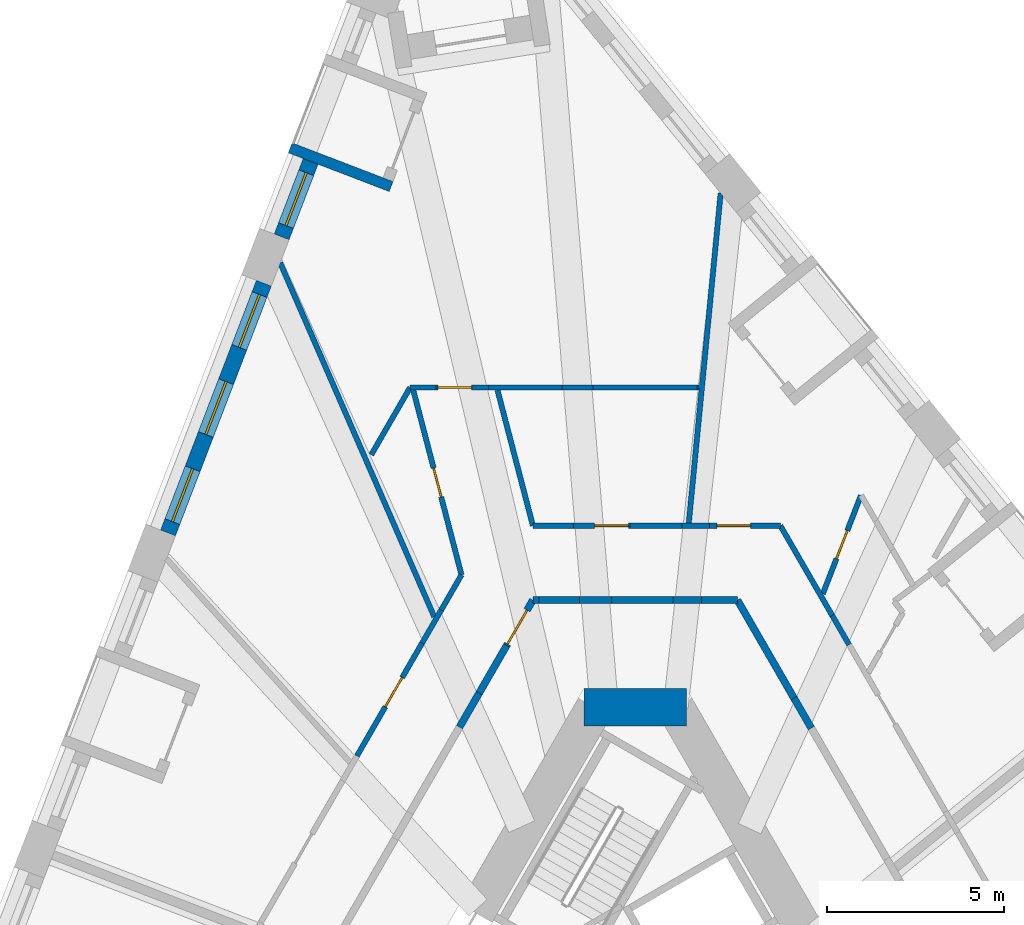
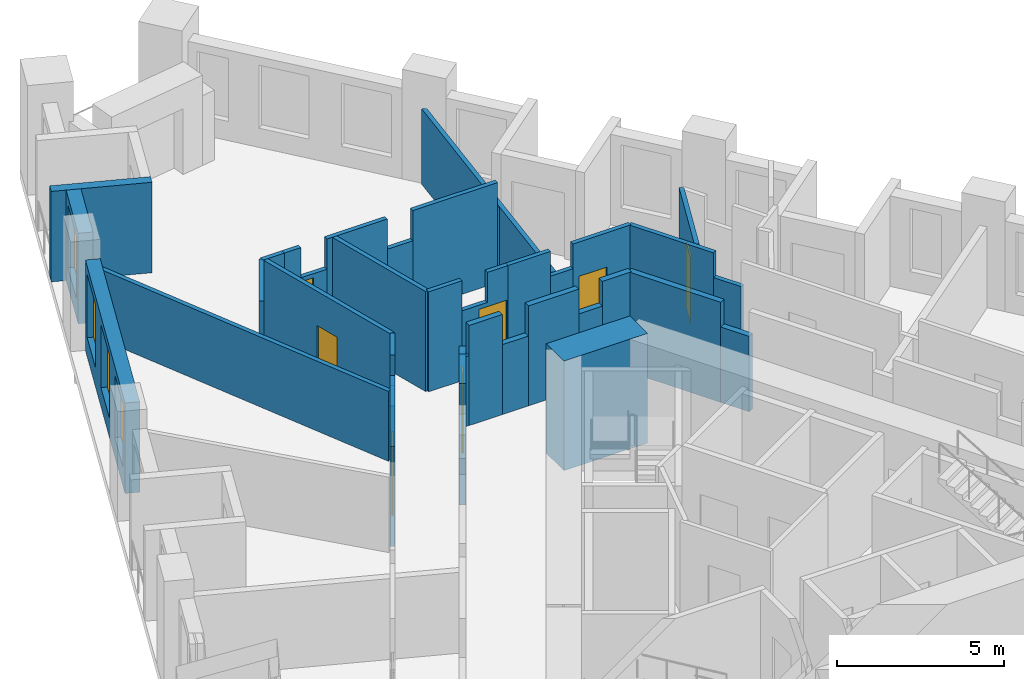
# One storey, part 8 of 14: 37 walls, 7 doors, 4 windows, 11 openings.
"""IFC4 building model written with IfcOpenShell, lengths in metres."""

from ifc_helpers import new_model, si_unit, direction, frame, frame_2d, origin, place, context, subcontext, project, spatial, polyline, rectangle, outline, extrude, material, layer, layer_set, type_object, element, fill, save


model = new_model("IFC4")

# Units and contexts
model_context = context("Model", 3, precision=1e-05, world=origin(), true_north=direction((0.0, 1.0)))
body_context = subcontext(model_context, "Body", "Model", "MODEL_VIEW")
ifc_project = project(units=[si_unit("LENGTHUNIT", "METRE"), si_unit("AREAUNIT", "SQUARE_METRE"), si_unit("VOLUMEUNIT", "CUBIC_METRE"), si_unit("PLANEANGLEUNIT", "RADIAN"), si_unit("MASSUNIT", "GRAM", prefix="KILO")], contexts=[model_context])

# Site, building, storey
site_placement = place(None, origin())
site = spatial("IfcSite", under=ifc_project, at=site_placement, CompositionType="ELEMENT")
building_placement = place(site_placement, origin())
building = spatial("IfcBuilding", under=site, at=building_placement, Name="Tramontana Tower", CompositionType="ELEMENT")
storey_placement = place(building_placement, frame((0.0, 0.0, 59.199951171875)))
storey = spatial("IfcBuildingStorey", under=building, at=storey_placement, Name="L12", CompositionType="ELEMENT", Elevation=59.199951171875)

# Walls
ifc_material_1 = material(Name="Concrete 70 MPa", Category="concrete")
ifc_layer_1 = layer(ifc_material_1, 1.050048828125)
ifc_layer_set_1 = layer_set([ifc_layer_1], Name="Core wall 1050 70 MPa")
wall_type_1 = type_object("IfcWallType", Name="Core wall 1050 70 MPa", PredefinedType="SHEAR", material=ifc_layer_set_1)
wall_1_placement = place(storey_placement, frame((1.443359375, 10.47509765625, 0.0), z_axis=(0.0, 0.0, 1.0), x_axis=(-1.0, 0.0, 0.0)))
element("IfcWall", 1, at=wall_1_placement, inside=storey, type_object=wall_type_1, Name="Core wall C0 L12", PredefinedType="SHEAR", context=body_context, shape_type="SweptSolid", body=[
    extrude(rectangle(XDim=2.88671875, YDim=1.050048828125, at=frame_2d((1.443359375, 0.0))), origin(), (0.0, 0.0, 1.0), 4.0),
])
ifc_material_2 = material(Name="Blockwork", Category="masonry")
ifc_layer_2 = layer(ifc_material_2, 0.199951171875)
ifc_layer_set_2 = layer_set([ifc_layer_2], Name="ENTRY WALL 200")
wall_type_2 = type_object("IfcWallType", Name="ENTRY WALL 200", PredefinedType="SOLIDWALL", material=ifc_layer_set_2)
wall_2_placement = place(storey_placement, frame((2.88671875, 13.5, 0.0), z_axis=(0.0, 0.0, 1.0), x_axis=(0.50003154259, -0.866007191896, 0.0)))
element("IfcWall", 2, at=wall_2_placement, inside=storey, type_object=wall_type_2, Name="Wall v10-ew0-0", PredefinedType="SOLIDWALL", context=body_context, shape_type="SweptSolid", body=[
    extrude(rectangle(XDim=3.190673828125, YDim=0.199951171875, at=frame_2d((1.59521484375, 0.0))), origin(), (0.0, 0.0, 1.0), 3.650146484375),
])
wall_3_placement = place(storey_placement, frame((4.482177734375, 10.73681640625, 0.0), z_axis=(0.0, 0.0, 1.0), x_axis=(0.499966601515, -0.86604468555, 0.0)))
element("IfcWall", 3, at=wall_3_placement, inside=storey, type_object=wall_type_2, Name="Wall v10-ew0-1", PredefinedType="SOLIDWALL", context=body_context, shape_type="SweptSolid", body=[
    extrude(rectangle(XDim=0.98095703125, YDim=0.199951171875, at=frame_2d((0.490478515625, 0.0))), origin(), (0.0, 0.0, 1.0), 2.75),
])
wall_4_placement = place(storey_placement, frame((-4.95751953125, 9.913330078125, 0.0), z_axis=(0.0, 0.0, 1.0), x_axis=(0.499951133605, 0.866053614973, 0.0)))
element("IfcWall", 4, at=wall_4_placement, inside=storey, type_object=wall_type_2, Name="Wall v10-ew4-7", PredefinedType="SOLIDWALL", context=body_context, shape_type="SweptSolid", body=[
    extrude(rectangle(XDim=1.10888671875, YDim=0.199951171875, at=frame_2d((0.554443359375, 0.0))), origin(), (0.0, 0.0, 1.0), 2.550048828125),
])
wall_5_placement = place(storey_placement, frame((-4.403076171875, 10.873779296875, 0.0), z_axis=(0.0, 0.0, 1.0), x_axis=(0.50011257031, 0.86596040153, 0.0)))
element("IfcWall", 5, at=wall_5_placement, inside=storey, type_object=wall_type_2, Name="Wall v10-ew4-8", PredefinedType="SOLIDWALL", context=body_context, shape_type="SweptSolid", body=[
    extrude(rectangle(XDim=1.552978515625, YDim=0.199951171875, at=frame_2d((0.7763671875, 0.0))), origin(), (0.0, 0.0, 1.0), 3.650146484375),
])

# Wall, opening, door
wall_6_placement = place(storey_placement, frame((-3.62646484375, 12.218505859375, 0.0), z_axis=(0.0, 0.0, 1.0), x_axis=(0.499936694431, 0.866061950187, 0.0)))
wall_6 = element("IfcWall", 6, at=wall_6_placement, inside=storey, type_object=wall_type_2, Name="Wall v10-ew4-9", PredefinedType="SOLIDWALL", context=body_context, shape_type="SweptSolid", body=[
    extrude(outline(polyline([(0.0, 0.0), (1.479736328125, 0.0), (1.4794921875, 2.550048828125), (0.4091796875, 2.550048828125), (0.4091796875, 3.650146484375), (0.0, 3.650146484375), (0.0, 0.0)])), frame((0.0, 0.10009765625, 0.0), z_axis=(0.0, -1.0, 0.0), x_axis=(1.0, 0.0, 0.0)), (0.0, 0.0, 1.0), 0.199951171875),
])
opening_1_placement = place(wall_6_placement, frame((0.050048828125, 0.0, 0.0)))
opening_1 = element("IfcOpeningElement", 7, at=opening_1_placement, cuts=wall_6, Name="Opening B1A-28", PredefinedType="OPENING", context=body_context, shape_type="SweptSolid", body=[
    extrude(rectangle(XDim=1.10009765625, YDim=2.39990234375, at=frame_2d((0.550048828125, 1.199951171875))), frame((0.0, 0.10986328125, 0.0), z_axis=(0.0, -1.0, 0.0), x_axis=(1.0, 0.0, 0.0)), (0.0, 0.0, 1.0), 0.219970703125),
])
ifc_material_3 = material(Name="Painted timber", Category="wood")
door_type_1 = type_object("IfcDoorType", Name="DOOR ENTRY 1100", OperationType="SINGLE_SWING_LEFT", PredefinedType="DOOR", material=ifc_material_3)
door_1_placement = place(opening_1_placement, origin())
door_1 = element("IfcDoor", 8, at=door_1_placement, inside=storey, type_object=door_type_1, Name="Door B1A-28", OperationType="SINGLE_SWING_RIGHT", OverallHeight=2.39990234375, OverallWidth=1.10009765625, PredefinedType="DOOR", context=body_context, shape_type="SweptSolid", body=[
    extrude(rectangle(XDim=1.10009765625, YDim=2.39990234375, at=frame_2d((0.550048828125, 1.199951171875))), frame((0.0, 0.02490234375, 0.0), z_axis=(0.0, -1.0, 0.0), x_axis=(1.0, 0.0, 0.0)), (0.0, 0.0, 1.0), 0.050048828125),
])
fill(opening_1, door_1)

# Walls
wall_7_placement = place(storey_placement, frame((-2.88671875, 13.5, 0.0), z_axis=(0.0, 0.0, 1.0), x_axis=(1.0, 0.0, 0.0)))
element("IfcWall", 9, at=wall_7_placement, inside=storey, type_object=wall_type_2, Name="Wall v10-ew5-0", PredefinedType="SOLIDWALL", context=body_context, shape_type="SweptSolid", body=[
    extrude(rectangle(XDim=0.171142578125, YDim=0.199951171875, at=frame_2d((0.08544921875, 0.0))), origin(), (0.0, 0.0, 1.0), 2.550048828125),
])
wall_8_placement = place(storey_placement, frame((-2.715576171875, 13.5, 0.0), z_axis=(0.0, 0.0, 1.0), x_axis=(1.0, 0.0, 0.0)))
element("IfcWall", 10, at=wall_8_placement, inside=storey, type_object=wall_type_2, Name="Wall v10-ew5-1", PredefinedType="SOLIDWALL", context=body_context, shape_type="SweptSolid", body=[
    extrude(rectangle(XDim=1.141357421875, YDim=0.199951171875, at=frame_2d((0.57080078125, 0.0))), origin(), (0.0, 0.0, 1.0), 3.650146484375),
])
wall_9_placement = place(storey_placement, frame((-1.57421875, 13.5, 0.0), z_axis=(0.0, 0.0, 1.0), x_axis=(1.0, 0.0, 0.0)))
element("IfcWall", 11, at=wall_9_placement, inside=storey, type_object=wall_type_2, Name="Wall v10-ew5-2", PredefinedType="SOLIDWALL", context=body_context, shape_type="SweptSolid", body=[
    extrude(rectangle(XDim=0.903076171875, YDim=0.199951171875, at=frame_2d((0.45166015625, 0.0))), origin(), (0.0, 0.0, 1.0), 2.550048828125),
])
wall_10_placement = place(storey_placement, frame((-0.671142578125, 13.5, 0.0), z_axis=(0.0, 0.0, 1.0), x_axis=(1.0, 0.0, 0.0)))
element("IfcWall", 12, at=wall_10_placement, inside=storey, type_object=wall_type_2, Name="Wall v10-ew5-3", PredefinedType="SOLIDWALL", context=body_context, shape_type="SweptSolid", body=[
    extrude(rectangle(XDim=1.745361328125, YDim=0.199951171875, at=frame_2d((0.87255859375, 0.0))), origin(), (0.0, 0.0, 1.0), 3.650146484375),
])
wall_11_placement = place(storey_placement, frame((1.07421875, 13.5, 0.0), z_axis=(0.0, 0.0, 1.0), x_axis=(1.0, 0.0, 0.0)))
element("IfcWall", 13, at=wall_11_placement, inside=storey, type_object=wall_type_2, Name="Wall v10-ew5-4", PredefinedType="SOLIDWALL", context=body_context, shape_type="SweptSolid", body=[
    extrude(rectangle(XDim=0.804931640625, YDim=0.199951171875, at=frame_2d((0.40234375, 0.0))), origin(), (0.0, 0.0, 1.0), 2.75),
])
wall_12_placement = place(storey_placement, frame((1.879150390625, 13.5, 0.0), z_axis=(0.0, 0.0, 1.0), x_axis=(1.0, 0.0, 0.0)))
element("IfcWall", 14, at=wall_12_placement, inside=storey, type_object=wall_type_2, Name="Wall v10-ew5-5", PredefinedType="SOLIDWALL", context=body_context, shape_type="SweptSolid", body=[
    extrude(rectangle(XDim=1.007568359375, YDim=0.199951171875, at=frame_2d((0.50390625, 0.0))), origin(), (0.0, 0.0, 1.0), 3.650146484375),
])

# Wall, opening, window
ifc_material_4 = material(Name="Precast concrete 60 MPa", Category="concrete")
ifc_layer_3 = layer(ifc_material_4, 0.449951171875)
ifc_layer_set_3 = layer_set([ifc_layer_3], Name="Precast concrete 60 MPa, 450 mm")
wall_type_3 = type_object("IfcWallType", Name="EW1 Stone-faced precast wall 450", PredefinedType="SOLIDWALL", material=ifc_layer_set_3)
wall_13_placement = place(storey_placement, frame((-9.157958984375, 25.8818359375, 0.0), z_axis=(0.0, 0.0, 1.0), x_axis=(-0.358355550725, -0.933585185864, 0.0)))
wall_13 = element("IfcWall", 15, at=wall_13_placement, inside=storey, type_object=wall_type_3, Name="External wall L12 face 0 bay 1", PredefinedType="SOLIDWALL", context=body_context, shape_type="SweptSolid", body=[
    extrude(rectangle(XDim=2.282958984375, YDim=0.449951171875, at=frame_2d((1.1416015625, 0.0))), origin(), (0.0, 0.0, 1.0), 3.300048828125),
])
opening_2_placement = place(wall_13_placement, frame((0.341552734375, 0.0, 0.699951171875)))
opening_2 = element("IfcOpeningElement", 16, at=opening_2_placement, cuts=wall_13, Name="Opening M1", PredefinedType="OPENING", context=body_context, shape_type="SweptSolid", body=[
    extrude(rectangle(XDim=1.60009765625, YDim=2.300048828125, at=frame_2d((0.800048828125, 1.14990234375))), frame((0.0, 0.23486328125, 0.0), z_axis=(0.0, -1.0, 0.0), x_axis=(1.0, 0.0, 0.0)), (0.0, 0.0, 1.0), 0.469970703125),
])
ifc_material_5 = material(Name="Aluminum frame, double glazing unit", Category="aluminium")
window_type = type_object("IfcWindowType", Name="M1 Window 1.6 x 2.3", PartitioningType="SINGLE_PANEL", PredefinedType="WINDOW", material=ifc_material_5)
window_1_placement = place(opening_2_placement, origin())
window_1 = element("IfcWindow", 17, at=window_1_placement, inside=storey, type_object=window_type, Name="Window M1 L12 face 0 module 3", OverallHeight=2.300048828125, OverallWidth=1.60009765625, PartitioningType="SINGLE_PANEL", PredefinedType="WINDOW", context=body_context, shape_type="SweptSolid", body=[
    extrude(rectangle(XDim=1.60009765625, YDim=2.300048828125, at=frame_2d((0.800048828125, 1.14990234375))), frame((0.0, 0.030029296875, 0.0), z_axis=(0.0, -1.0, 0.0), x_axis=(1.0, 0.0, 0.0)), (0.0, 0.0, 1.0), 0.06005859375),
])
fill(opening_2, window_1)

# Wall, openings, windows
wall_14_placement = place(storey_placement, frame((-10.47802734375, 22.443603515625, 0.0), z_axis=(0.0, 0.0, 1.0), x_axis=(-0.358339674384, -0.933591279823, 0.0)))
wall_14 = element("IfcWall", 18, at=wall_14_placement, inside=storey, type_object=wall_type_3, Name="External wall L12 face 0 bay 2", PredefinedType="SOLIDWALL", context=body_context, shape_type="SweptSolid", body=[
    extrude(rectangle(XDim=7.548828125, YDim=0.449951171875, at=frame_2d((3.7744140625, 0.0))), origin(), (0.0, 0.0, 1.0), 3.300048828125),
])
opening_3_placement = place(wall_14_placement, frame((0.341552734375, 0.0, 0.699951171875)))
opening_3 = element("IfcOpeningElement", 19, at=opening_3_placement, cuts=wall_14, Name="Opening M1", PredefinedType="OPENING", context=body_context, shape_type="SweptSolid", body=[
    extrude(rectangle(XDim=1.60009765625, YDim=2.300048828125, at=frame_2d((0.800048828125, 1.14990234375))), frame((0.0, 0.23486328125, 0.0), z_axis=(0.0, -1.0, 0.0), x_axis=(1.0, 0.0, 0.0)), (0.0, 0.0, 1.0), 0.469970703125),
])
opening_4_placement = place(wall_14_placement, frame((2.974365234375, 0.0, 0.699951171875)))
opening_4 = element("IfcOpeningElement", 20, at=opening_4_placement, cuts=wall_14, Name="Opening M1", PredefinedType="OPENING", context=body_context, shape_type="SweptSolid", body=[
    extrude(rectangle(XDim=1.60009765625, YDim=2.300048828125, at=frame_2d((0.800048828125, 1.14990234375))), frame((0.0, 0.23486328125, 0.0), z_axis=(0.0, -1.0, 0.0), x_axis=(1.0, 0.0, 0.0)), (0.0, 0.0, 1.0), 0.469970703125),
])
opening_5_placement = place(wall_14_placement, frame((5.607421875, 0.0, 0.699951171875)))
opening_5 = element("IfcOpeningElement", 21, at=opening_5_placement, cuts=wall_14, Name="Opening M1", PredefinedType="OPENING", context=body_context, shape_type="SweptSolid", body=[
    extrude(rectangle(XDim=1.60009765625, YDim=2.300048828125, at=frame_2d((0.800048828125, 1.14990234375))), frame((0.0, 0.23486328125, 0.0), z_axis=(0.0, -1.0, 0.0), x_axis=(1.0, 0.0, 0.0)), (0.0, 0.0, 1.0), 0.469970703125),
])
window_2_placement = place(opening_3_placement, origin())
window_2 = element("IfcWindow", 22, at=window_2_placement, inside=storey, type_object=window_type, Name="Window M1 L12 face 0 module 4", OverallHeight=2.300048828125, OverallWidth=1.60009765625, PartitioningType="SINGLE_PANEL", PredefinedType="WINDOW", context=body_context, shape_type="SweptSolid", body=[
    extrude(rectangle(XDim=1.60009765625, YDim=2.300048828125, at=frame_2d((0.800048828125, 1.14990234375))), frame((0.0, 0.030029296875, 0.0), z_axis=(0.0, -1.0, 0.0), x_axis=(1.0, 0.0, 0.0)), (0.0, 0.0, 1.0), 0.06005859375),
])
fill(opening_3, window_2)
window_3_placement = place(opening_4_placement, origin())
window_3 = element("IfcWindow", 23, at=window_3_placement, inside=storey, type_object=window_type, Name="Window M1 L12 face 0 module 5", OverallHeight=2.300048828125, OverallWidth=1.60009765625, PartitioningType="SINGLE_PANEL", PredefinedType="WINDOW", context=body_context, shape_type="SweptSolid", body=[
    extrude(rectangle(XDim=1.60009765625, YDim=2.300048828125, at=frame_2d((0.800048828125, 1.14990234375))), frame((0.0, 0.030029296875, 0.0), z_axis=(0.0, -1.0, 0.0), x_axis=(1.0, 0.0, 0.0)), (0.0, 0.0, 1.0), 0.06005859375),
])
fill(opening_4, window_3)
window_4_placement = place(opening_5_placement, origin())
window_4 = element("IfcWindow", 24, at=window_4_placement, inside=storey, type_object=window_type, Name="Window M1 L12 face 0 module 6", OverallHeight=2.300048828125, OverallWidth=1.60009765625, PartitioningType="SINGLE_PANEL", PredefinedType="WINDOW", context=body_context, shape_type="SweptSolid", body=[
    extrude(rectangle(XDim=1.60009765625, YDim=2.300048828125, at=frame_2d((0.800048828125, 1.14990234375))), frame((0.0, 0.030029296875, 0.0), z_axis=(0.0, -1.0, 0.0), x_axis=(1.0, 0.0, 0.0)), (0.0, 0.0, 1.0), 0.06005859375),
])
fill(opening_5, window_4)

# Walls
ifc_material_6 = material(Name="Precast concrete 60 MPa", Category="concrete")
ifc_layer_4 = layer(ifc_material_6, 0.300048828125)
ifc_layer_set_4 = layer_set([ifc_layer_4], Name="LW1 Stone-faced loggia wall 300")
wall_type_4 = type_object("IfcWallType", Name="LW1 Stone-faced loggia wall 300", PredefinedType="SOLIDWALL", material=ifc_layer_set_4)
wall_15_placement = place(storey_placement, frame((-9.734375, 26.263671875, 0.0), z_axis=(0.0, 0.0, 1.0), x_axis=(0.933580593625, -0.358367514161, 0.0)))
element("IfcWall", 25, at=wall_15_placement, inside=storey, type_object=wall_type_4, Name="Loggia return L12 G1S0.1b", PredefinedType="SOLIDWALL", context=body_context, shape_type="SweptSolid", body=[
    extrude(rectangle(XDim=3.050048828125, YDim=0.300048828125, at=frame_2d((1.52490234375, 0.0))), origin(), (0.0, 0.0, 1.0), 3.300048828125),
])
ifc_material_7 = material(Name="Gypsum board partition")
ifc_layer_5 = layer(ifc_material_7, 0.14990234375)
ifc_layer_set_5 = layer_set([ifc_layer_5], Name="PARTITION 150")
wall_type_5 = type_object("IfcWallType", Name="PARTITION 150", PredefinedType="PARTITIONING", material=ifc_layer_set_5)
wall_16_placement = place(storey_placement, frame((-7.446533203125, 17.60205078125, 0.0), z_axis=(0.0, 0.0, 1.0), x_axis=(0.499973180286, 0.8660408876, 0.0)))
element("IfcWall", 26, at=wall_16_placement, inside=storey, type_object=wall_type_5, Name="Wall v10-pw13-1", PredefinedType="PARTITIONING", context=body_context, shape_type="SweptSolid", body=[
    extrude(rectangle(XDim=2.19140625, YDim=0.14990234375, at=frame_2d((1.095703125, 0.0))), origin(), (0.0, 0.0, 1.0), 3.650146484375),
])
wall_17_placement = place(storey_placement, frame((-6.350830078125, 19.5, 0.0), z_axis=(0.0, 0.0, 1.0), x_axis=(1.0, 0.0, 0.0)))
element("IfcWall", 27, at=wall_17_placement, inside=storey, type_object=wall_type_5, Name="Wall v10-pw14-0", PredefinedType="PARTITIONING", context=body_context, shape_type="SweptSolid", body=[
    extrude(rectangle(XDim=0.73388671875, YDim=0.14990234375, at=frame_2d((0.366943359375, 0.0))), origin(), (0.0, 0.0, 1.0), 3.650146484375),
])

# Wall, opening, door
wall_18_placement = place(storey_placement, frame((-5.616943359375, 19.5, 0.0), z_axis=(0.0, 0.0, 1.0), x_axis=(1.0, 0.0, 0.0)))
wall_18 = element("IfcWall", 28, at=wall_18_placement, inside=storey, type_object=wall_type_5, Name="Wall v10-pw14-1", PredefinedType="PARTITIONING", context=body_context, shape_type="SweptSolid", body=[
    extrude(outline(polyline([(0.0, 0.0), (1.476318359375, 0.0), (1.476318359375, 2.550048828125), (0.577392578125, 2.550048828125), (0.577392578125, 3.650146484375), (0.0, 3.650146484375), (0.0, 0.0)])), frame((0.0, 0.074951171875, 0.0), z_axis=(0.0, -1.0, 0.0), x_axis=(1.0, 0.0, 0.0)), (0.0, 0.0, 1.0), 0.14990234375),
])
opening_6_placement = place(wall_18_placement, frame((0.050048828125, 0.0, 0.0)))
opening_6 = element("IfcOpeningElement", 29, at=opening_6_placement, cuts=wall_18, Name="Opening B1A-03", PredefinedType="OPENING", context=body_context, shape_type="SweptSolid", body=[
    extrude(rectangle(XDim=0.949951171875, YDim=2.39990234375, at=frame_2d((0.47509765625, 1.199951171875))), frame((0.0, 0.0849609375, 0.0), z_axis=(0.0, -1.0, 0.0), x_axis=(1.0, 0.0, 0.0)), (0.0, 0.0, 1.0), 0.169921875),
])
ifc_material_8 = material(Name="Painted timber", Category="wood")
door_type_2 = type_object("IfcDoorType", Name="DOOR ROOM 950", OperationType="SINGLE_SWING_LEFT", PredefinedType="DOOR", material=ifc_material_8)
door_2_placement = place(opening_6_placement, origin())
door_2 = element("IfcDoor", 30, at=door_2_placement, inside=storey, type_object=door_type_2, Name="Door B1A-03", OperationType="SINGLE_SWING_LEFT", OverallHeight=2.39990234375, OverallWidth=0.949951171875, PredefinedType="DOOR", context=body_context, shape_type="SweptSolid", body=[
    extrude(rectangle(XDim=0.949951171875, YDim=2.39990234375, at=frame_2d((0.47509765625, 1.199951171875))), frame((0.0, 0.02490234375, 0.0), z_axis=(0.0, -1.0, 0.0), x_axis=(1.0, 0.0, 0.0)), (0.0, 0.0, 1.0), 0.050048828125),
])
fill(opening_6, door_2)

# Walls
wall_19_placement = place(storey_placement, frame((-4.140625, 19.5, 0.0), z_axis=(0.0, 0.0, 1.0), x_axis=(1.0, 0.0, 0.0)))
element("IfcWall", 31, at=wall_19_placement, inside=storey, type_object=wall_type_5, Name="Wall v10-pw14-2", PredefinedType="PARTITIONING", context=body_context, shape_type="SweptSolid", body=[
    extrude(rectangle(XDim=2.079833984375, YDim=0.14990234375, at=frame_2d((1.0400390625, 0.0))), origin(), (0.0, 0.0, 1.0), 3.650146484375),
])
wall_20_placement = place(storey_placement, frame((-2.060791015625, 19.5, 0.0), z_axis=(0.0, 0.0, 1.0), x_axis=(1.0, 0.0, 0.0)))
element("IfcWall", 32, at=wall_20_placement, inside=storey, type_object=wall_type_5, Name="Wall v10-pw14-3", PredefinedType="PARTITIONING", context=body_context, shape_type="SweptSolid", body=[
    extrude(rectangle(XDim=0.878173828125, YDim=0.14990234375, at=frame_2d((0.43896484375, 0.0))), origin(), (0.0, 0.0, 1.0), 2.550048828125),
])
wall_21_placement = place(storey_placement, frame((-1.1826171875, 19.5, 0.0), z_axis=(0.0, 0.0, 1.0), x_axis=(1.0, 0.0, 0.0)))
element("IfcWall", 33, at=wall_21_placement, inside=storey, type_object=wall_type_5, Name="Wall v10-pw14-4", PredefinedType="PARTITIONING", context=body_context, shape_type="SweptSolid", body=[
    extrude(rectangle(XDim=2.92578125, YDim=0.14990234375, at=frame_2d((1.462890625, 0.0))), origin(), (0.0, 0.0, 1.0), 3.650146484375),
])
wall_22_placement = place(storey_placement, frame((1.7431640625, 19.5, 0.0), z_axis=(0.0, 0.0, 1.0), x_axis=(1.0, 0.0, 0.0)))
element("IfcWall", 34, at=wall_22_placement, inside=storey, type_object=wall_type_5, Name="Wall v10-pw14-5", PredefinedType="PARTITIONING", context=body_context, shape_type="SweptSolid", body=[
    extrude(rectangle(XDim=0.065673828125, YDim=0.14990234375, at=frame_2d((0.03271484375, 0.0))), origin(), (0.0, 0.0, 1.0), 2.75),
])
wall_23_placement = place(storey_placement, frame((-5.670166015625, 13.02880859375, 0.0), z_axis=(0.0, 0.0, 1.0), x_axis=(-0.399074402335, 0.916918546764, 0.0)))
element("IfcWall", 35, at=wall_23_placement, inside=storey, type_object=wall_type_5, Name="Wall v10-pw15-0", PredefinedType="PARTITIONING", context=body_context, shape_type="SweptSolid", body=[
    extrude(rectangle(XDim=10.892578125, YDim=0.14990234375, at=frame_2d((5.4462890625, 0.0))), origin(), (0.0, 0.0, 1.0), 2.550048828125),
])
wall_24_placement = place(storey_placement, frame((-4.900146484375, 14.212646484375, 0.0), z_axis=(0.0, 0.0, 1.0), x_axis=(-0.500078876233, -0.86597985978, 0.0)))
element("IfcWall", 36, at=wall_24_placement, inside=storey, type_object=wall_type_5, Name="Wall v10-pw16-0", PredefinedType="PARTITIONING", context=body_context, shape_type="SweptSolid", body=[
    extrude(rectangle(XDim=1.146240234375, YDim=0.14990234375, at=frame_2d((0.5732421875, 0.0))), origin(), (0.0, 0.0, 1.0), 3.650146484375),
])
wall_25_placement = place(storey_placement, frame((-5.473388671875, 13.219970703125, 0.0), z_axis=(0.0, 0.0, 1.0), x_axis=(-0.499938053331, -0.866061165757, 0.0)))
element("IfcWall", 37, at=wall_25_placement, inside=storey, type_object=wall_type_5, Name="Wall v10-pw16-1", PredefinedType="PARTITIONING", context=body_context, shape_type="SweptSolid", body=[
    extrude(rectangle(XDim=1.078369140625, YDim=0.14990234375, at=frame_2d((0.5390625, 0.0))), origin(), (0.0, 0.0, 1.0), 2.550048828125),
])

# Wall, opening, door
wall_26_placement = place(storey_placement, frame((-7.85107421875, 9.1015625, 0.0), z_axis=(0.0, 0.0, 1.0), x_axis=(0.500002145574, 0.866024165033, 0.0)))
wall_26 = element("IfcWall", 38, at=wall_26_placement, inside=storey, type_object=wall_type_5, Name="Wall v10-pw16-2", PredefinedType="PARTITIONING", context=body_context, shape_type="SweptSolid", body=[
    extrude(rectangle(XDim=3.67724609375, YDim=0.14990234375, at=frame_2d((1.838623046875, 0.0))), origin(), (0.0, 0.0, 1.0), 3.650146484375),
])
opening_7_placement = place(wall_26_placement, frame((1.603515625, 0.0, 0.0)))
opening_7 = element("IfcOpeningElement", 39, at=opening_7_placement, cuts=wall_26, Name="Opening B1A-06", PredefinedType="OPENING", context=body_context, shape_type="SweptSolid", body=[
    extrude(rectangle(XDim=0.949951171875, YDim=2.39990234375, at=frame_2d((0.47509765625, 1.199951171875))), frame((0.0, 0.0849609375, 0.0), z_axis=(0.0, -1.0, 0.0), x_axis=(1.0, 0.0, 0.0)), (0.0, 0.0, 1.0), 0.169921875),
])
door_3_placement = place(opening_7_placement, origin())
door_3 = element("IfcDoor", 40, at=door_3_placement, inside=storey, type_object=door_type_2, Name="Door B1A-06", OperationType="SINGLE_SWING_RIGHT", OverallHeight=2.39990234375, OverallWidth=0.949951171875, PredefinedType="DOOR", context=body_context, shape_type="SweptSolid", body=[
    extrude(rectangle(XDim=0.949951171875, YDim=2.39990234375, at=frame_2d((0.47509765625, 1.199951171875))), frame((0.0, 0.02490234375, 0.0), z_axis=(0.0, -1.0, 0.0), x_axis=(1.0, 0.0, 0.0)), (0.0, 0.0, 1.0), 0.050048828125),
])
fill(opening_7, door_3)

wall_27_placement = place(storey_placement, frame((-4.900146484375, 14.212646484375, 0.0), z_axis=(0.0, 0.0, 1.0), x_axis=(-0.25265249466, 0.967557087175, 0.0)))
wall_27 = element("IfcWall", 41, at=wall_27_placement, inside=storey, type_object=wall_type_5, Name="Wall v10-pw17", PredefinedType="PARTITIONING", context=body_context, shape_type="SweptSolid", body=[
    extrude(rectangle(XDim=5.38720703125, YDim=0.14990234375, at=frame_2d((2.693603515625, 0.0))), origin(), (0.0, 0.0, 1.0), 3.650146484375),
])
opening_8_placement = place(wall_27_placement, frame((2.2685546875, 0.0, 0.0)))
opening_8 = element("IfcOpeningElement", 42, at=opening_8_placement, cuts=wall_27, Name="Opening B1A-02", PredefinedType="OPENING", context=body_context, shape_type="SweptSolid", body=[
    extrude(rectangle(XDim=0.85009765625, YDim=2.39990234375, at=frame_2d((0.425048828125, 1.199951171875))), frame((0.0, 0.0849609375, 0.0), z_axis=(0.0, -1.0, 0.0), x_axis=(1.0, 0.0, 0.0)), (0.0, 0.0, 1.0), 0.169921875),
])
ifc_material_9 = material(Name="Painted timber", Category="wood")
door_type_3 = type_object("IfcDoorType", Name="DOOR BATH 850", OperationType="SINGLE_SWING_LEFT", PredefinedType="DOOR", material=ifc_material_9)
door_4_placement = place(opening_8_placement, origin())
door_4 = element("IfcDoor", 43, at=door_4_placement, inside=storey, type_object=door_type_3, Name="Door B1A-02", OperationType="SINGLE_SWING_RIGHT", OverallHeight=2.39990234375, OverallWidth=0.85009765625, PredefinedType="DOOR", context=body_context, shape_type="SweptSolid", body=[
    extrude(rectangle(XDim=0.85009765625, YDim=2.39990234375, at=frame_2d((0.425048828125, 1.199951171875))), frame((0.0, 0.02490234375, 0.0), z_axis=(0.0, -1.0, 0.0), x_axis=(1.0, 0.0, 0.0)), (0.0, 0.0, 1.0), 0.050048828125),
])
fill(opening_8, door_4)

# Walls
wall_28_placement = place(storey_placement, frame((-3.88427734375, 19.425048828125, 0.0), z_axis=(0.0, 0.0, 1.0), x_axis=(0.252708480958, -0.967542466072, 0.0)))
element("IfcWall", 44, at=wall_28_placement, inside=storey, type_object=wall_type_5, Name="Wall v10-pw18", PredefinedType="PARTITIONING", context=body_context, shape_type="SweptSolid", body=[
    extrude(rectangle(XDim=3.953369140625, YDim=0.14990234375, at=frame_2d((1.9765625, 0.0))), origin(), (0.0, 0.0, 1.0), 3.650146484375),
])
wall_29_placement = place(storey_placement, frame((-2.88525390625, 15.60009765625, 0.0), z_axis=(0.0, 0.0, 1.0), x_axis=(1.0, 0.0, 0.0)))
element("IfcWall", 45, at=wall_29_placement, inside=storey, type_object=wall_type_5, Name="Wall v10-pw20-0", PredefinedType="PARTITIONING", context=body_context, shape_type="SweptSolid", body=[
    extrude(rectangle(XDim=1.14892578125, YDim=0.14990234375, at=frame_2d((0.574462890625, 0.0))), origin(), (0.0, 0.0, 1.0), 3.650146484375),
])

# Wall, opening, door
wall_30_placement = place(storey_placement, frame((-1.736328125, 15.60009765625, 0.0), z_axis=(0.0, 0.0, 1.0), x_axis=(1.0, 0.0, 0.0)))
wall_30 = element("IfcWall", 46, at=wall_30_placement, inside=storey, type_object=wall_type_5, Name="Wall v10-pw20-1", PredefinedType="PARTITIONING", context=body_context, shape_type="SweptSolid", body=[
    extrude(outline(polyline([(0.0, 0.0), (1.59375, 0.0), (1.593994140625, 3.650146484375), (0.8779296875, 3.650146484375), (0.8779296875, 2.550048828125), (0.0, 2.550048828125), (0.0, 0.0)])), frame((0.0, 0.074951171875, 0.0), z_axis=(0.0, -1.0, 0.0), x_axis=(1.0, 0.0, 0.0)), (0.0, 0.0, 1.0), 0.14990234375),
])
opening_9_placement = place(wall_30_placement, frame((0.593994140625, 0.0, 0.0)))
opening_9 = element("IfcOpeningElement", 47, at=opening_9_placement, cuts=wall_30, Name="Opening B1A-01", PredefinedType="OPENING", context=body_context, shape_type="SweptSolid", body=[
    extrude(rectangle(XDim=0.949951171875, YDim=2.39990234375, at=frame_2d((0.47509765625, 1.199951171875))), frame((0.0, 0.0849609375, 0.0), z_axis=(0.0, -1.0, 0.0), x_axis=(1.0, 0.0, 0.0)), (0.0, 0.0, 1.0), 0.169921875),
])
door_5_placement = place(opening_9_placement, origin())
door_5 = element("IfcDoor", 48, at=door_5_placement, inside=storey, type_object=door_type_2, Name="Door B1A-01", OperationType="SINGLE_SWING_LEFT", OverallHeight=2.39990234375, OverallWidth=0.949951171875, PredefinedType="DOOR", context=body_context, shape_type="SweptSolid", body=[
    extrude(rectangle(XDim=0.949951171875, YDim=2.39990234375, at=frame_2d((0.47509765625, 1.199951171875))), frame((0.0, 0.02490234375, 0.0), z_axis=(0.0, -1.0, 0.0), x_axis=(1.0, 0.0, 0.0)), (0.0, 0.0, 1.0), 0.050048828125),
])
fill(opening_9, door_5)

# Walls
wall_31_placement = place(storey_placement, frame((-0.142578125, 15.60009765625, 0.0), z_axis=(0.0, 0.0, 1.0), x_axis=(1.0, 0.0, 0.0)))
element("IfcWall", 49, at=wall_31_placement, inside=storey, type_object=wall_type_5, Name="Wall v10-pw20-2", PredefinedType="PARTITIONING", context=body_context, shape_type="SweptSolid", body=[
    extrude(rectangle(XDim=1.459228515625, YDim=0.14990234375, at=frame_2d((0.7294921875, 0.0))), origin(), (0.0, 0.0, 1.0), 3.650146484375),
])
wall_32_placement = place(storey_placement, frame((1.316650390625, 15.60009765625, 0.0), z_axis=(0.0, 0.0, 1.0), x_axis=(1.0, 0.0, 0.0)))
element("IfcWall", 50, at=wall_32_placement, inside=storey, type_object=wall_type_5, Name="Wall v10-pw20-3", PredefinedType="PARTITIONING", context=body_context, shape_type="SweptSolid", body=[
    extrude(rectangle(XDim=0.779541015625, YDim=0.14990234375, at=frame_2d((0.3896484375, 0.0))), origin(), (0.0, 0.0, 1.0), 2.75),
])

# Wall, opening, door
wall_33_placement = place(storey_placement, frame((2.09619140625, 15.60009765625, 0.0), z_axis=(0.0, 0.0, 1.0), x_axis=(1.0, 0.0, 0.0)))
wall_33 = element("IfcWall", 51, at=wall_33_placement, inside=storey, type_object=wall_type_5, Name="Wall v10-pw20-4", PredefinedType="PARTITIONING", context=body_context, shape_type="SweptSolid", body=[
    extrude(rectangle(XDim=2.0029296875, YDim=0.14990234375, at=frame_2d((1.00146484375, 0.0))), origin(), (0.0, 0.0, 1.0), 3.650146484375),
])
opening_10_placement = place(wall_33_placement, frame((0.210693359375, 0.0, 0.0)))
opening_10 = element("IfcOpeningElement", 52, at=opening_10_placement, cuts=wall_33, Name="Opening B1A-04", PredefinedType="OPENING", context=body_context, shape_type="SweptSolid", body=[
    extrude(rectangle(XDim=0.949951171875, YDim=2.39990234375, at=frame_2d((0.47509765625, 1.199951171875))), frame((0.0, 0.0849609375, 0.0), z_axis=(0.0, -1.0, 0.0), x_axis=(1.0, 0.0, 0.0)), (0.0, 0.0, 1.0), 0.169921875),
])
door_6_placement = place(opening_10_placement, origin())
door_6 = element("IfcDoor", 53, at=door_6_placement, inside=storey, type_object=door_type_2, Name="Door B1A-04", OperationType="SINGLE_SWING_RIGHT", OverallHeight=2.39990234375, OverallWidth=0.949951171875, PredefinedType="DOOR", context=body_context, shape_type="SweptSolid", body=[
    extrude(rectangle(XDim=0.949951171875, YDim=2.39990234375, at=frame_2d((0.47509765625, 1.199951171875))), frame((0.0, 0.02490234375, 0.0), z_axis=(0.0, -1.0, 0.0), x_axis=(1.0, 0.0, 0.0)), (0.0, 0.0, 1.0), 0.050048828125),
])
fill(opening_10, door_6)

# Walls
wall_34_placement = place(storey_placement, frame((2.414306640625, 24.9853515625, 0.0), z_axis=(0.0, 0.0, 1.0), x_axis=(-0.096182387121, -0.995363726689, 0.0)))
element("IfcWall", 54, at=wall_34_placement, inside=storey, type_object=wall_type_5, Name="Wall v10-pw22-0", PredefinedType="PARTITIONING", context=body_context, shape_type="SweptSolid", body=[
    extrude(rectangle(XDim=9.353759765625, YDim=0.14990234375, at=frame_2d((4.6767578125, 0.0))), origin(), (0.0, 0.0, 1.0), 2.75),
])
wall_35_placement = place(storey_placement, frame((4.09912109375, 15.60009765625, 0.0), z_axis=(0.0, 0.0, 1.0), x_axis=(0.500013600279, -0.866017551517, 0.0)))
element("IfcWall", 55, at=wall_35_placement, inside=storey, type_object=wall_type_5, Name="Wall v10-pw23-0", PredefinedType="PARTITIONING", context=body_context, shape_type="SweptSolid", body=[
    extrude(rectangle(XDim=2.927734375, YDim=0.14990234375, at=frame_2d((1.4638671875, 0.0))), origin(), (0.0, 0.0, 1.0), 3.650146484375),
])
wall_36_placement = place(storey_placement, frame((5.56298828125, 13.064697265625, 0.0), z_axis=(0.0, 0.0, 1.0), x_axis=(0.500033686847, -0.8660059538, 0.0)))
element("IfcWall", 56, at=wall_36_placement, inside=storey, type_object=wall_type_5, Name="Wall v10-pw23-1", PredefinedType="PARTITIONING", context=body_context, shape_type="SweptSolid", body=[
    extrude(rectangle(XDim=0.95068359375, YDim=0.14990234375, at=frame_2d((0.475341796875, 0.0))), origin(), (0.0, 0.0, 1.0), 2.75),
])

# Wall, opening, door
wall_37_placement = place(storey_placement, frame((6.373046875, 16.454833984375, 0.0), z_axis=(0.0, 0.0, 1.0), x_axis=(-0.361113609809, -0.932521828597, 0.0)))
wall_37 = element("IfcWall", 57, at=wall_37_placement, inside=storey, type_object=wall_type_5, Name="Wall v10-pw24", PredefinedType="PARTITIONING", context=body_context, shape_type="SweptSolid", body=[
    extrude(rectangle(XDim=2.980224609375, YDim=0.14990234375, at=frame_2d((1.490234375, 0.0))), origin(), (0.0, 0.0, 1.0), 3.650146484375),
])
opening_11_placement = place(wall_37_placement, frame((1.065185546875, 0.0, 0.0)))
opening_11 = element("IfcOpeningElement", 58, at=opening_11_placement, cuts=wall_37, Name="Opening B1A-08", PredefinedType="OPENING", context=body_context, shape_type="SweptSolid", body=[
    extrude(rectangle(XDim=0.85009765625, YDim=2.39990234375, at=frame_2d((0.425048828125, 1.199951171875))), frame((0.0, 0.0849609375, 0.0), z_axis=(0.0, -1.0, 0.0), x_axis=(1.0, 0.0, 0.0)), (0.0, 0.0, 1.0), 0.169921875),
])
door_7_placement = place(opening_11_placement, origin())
door_7 = element("IfcDoor", 59, at=door_7_placement, inside=storey, type_object=door_type_3, Name="Door B1A-08", OperationType="SINGLE_SWING_RIGHT", OverallHeight=2.39990234375, OverallWidth=0.85009765625, PredefinedType="DOOR", context=body_context, shape_type="SweptSolid", body=[
    extrude(rectangle(XDim=0.85009765625, YDim=2.39990234375, at=frame_2d((0.425048828125, 1.199951171875))), frame((0.0, 0.02490234375, 0.0), z_axis=(0.0, -1.0, 0.0), x_axis=(1.0, 0.0, 0.0)), (0.0, 0.0, 1.0), 0.050048828125),
])
fill(opening_11, door_7)

save(model, "model.ifc")
